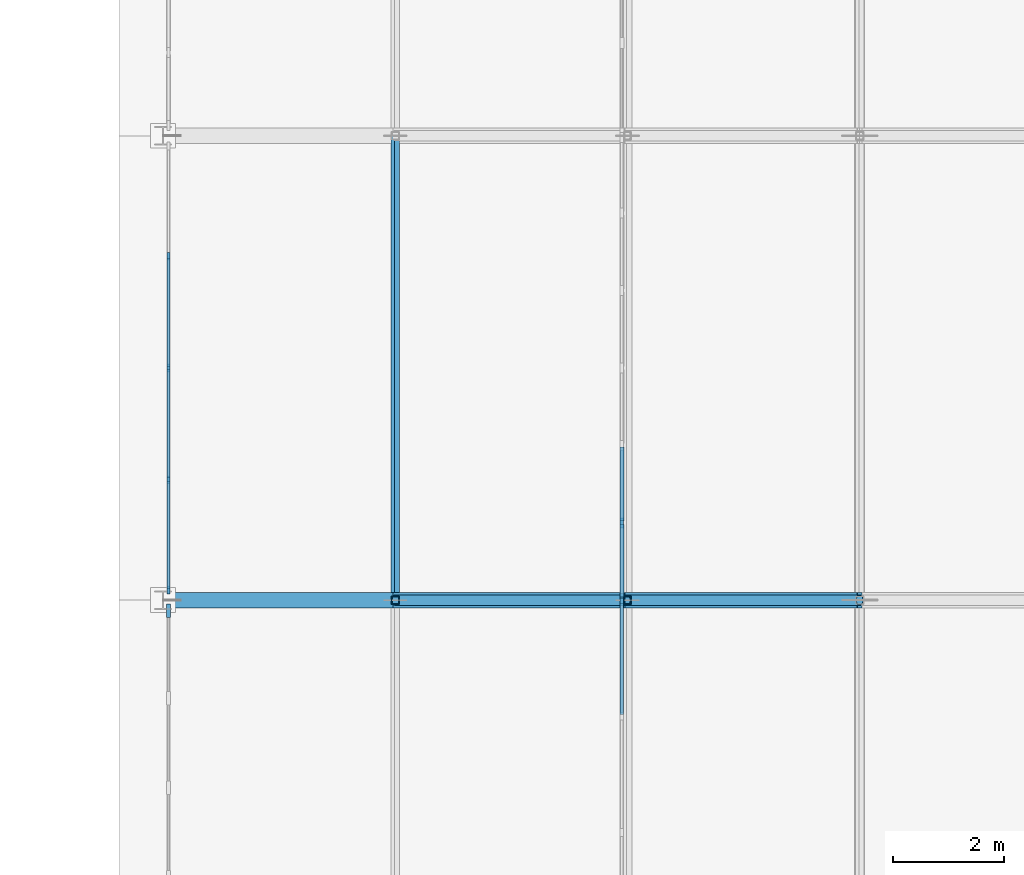
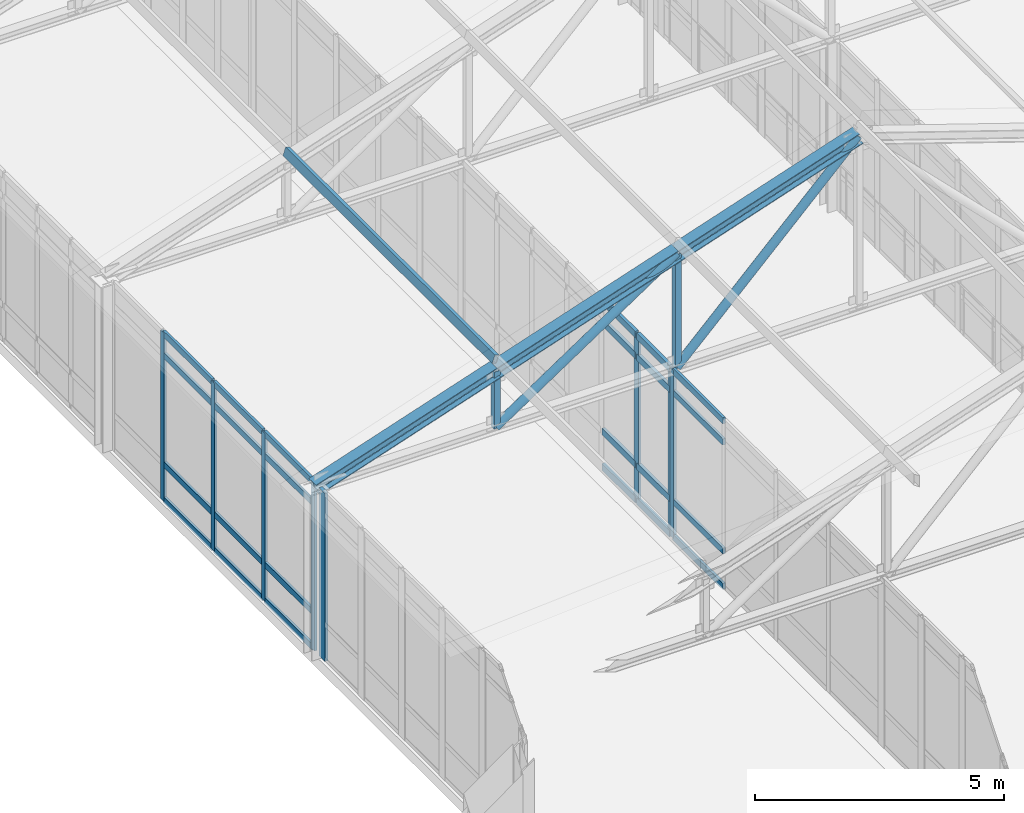
# One storey, part 44 of 192: 40 members, 4 elements without a shape of their own.
"""IFC4 building model written with IfcOpenShell, lengths in metres."""

from ifc_helpers import new_model, si_unit, direction, frame, origin, origin_2d, place, context, subcontext, project, spatial, rectangle, hollow_rectangle, hollow_circle, i_section, extrude, material, layer, layer_set, material_profile, profile_set, type_object, element, aggregate, save


model = new_model("IFC4")

# Units and contexts
model_context = context("Model", 3, precision=1e-05, world=origin(), true_north=direction((0.0, 1.0)))
body_context = subcontext(model_context, "Body", "Model", "MODEL_VIEW")
ifc_project = project(units=[si_unit("LENGTHUNIT", "METRE"), si_unit("AREAUNIT", "SQUARE_METRE"), si_unit("VOLUMEUNIT", "CUBIC_METRE"), si_unit("PLANEANGLEUNIT", "RADIAN"), si_unit("MASSUNIT", "GRAM", prefix="KILO")], contexts=[model_context])

# Site, building, storey
site_placement = place(None, origin())
site = spatial("IfcSite", under=ifc_project, at=site_placement, CompositionType="ELEMENT")
building_placement = place(site_placement, origin())
building = spatial("IfcBuilding", under=site, at=building_placement, Name="Kveldsbrygga Polytechnic", CompositionType="ELEMENT")
storey_placement = place(building_placement, frame((0.0, 0.0, 5.43994140625)))
storey = spatial("IfcBuildingStorey", under=building, at=storey_placement, Name="L01", CompositionType="ELEMENT", Elevation=5.43994140625)

# Curtain wall, member
ifc_material_1 = material(Name="Anodised aluminium AW-6060", Category="aluminium")
ifc_layer_1 = layer(ifc_material_1, 0.199951171875)
ifc_layer_set_1 = layer_set([ifc_layer_1], Name="Anodised aluminium AW-6060")
curtain_wall_type_1 = type_object("IfcCurtainWallType", Name="CW-LANC-E", PredefinedType="USERDEFINED", material=ifc_layer_set_1)
curtain_wall_1_placement = place(storey_placement, origin())
curtain_wall_1 = element("IfcCurtainWall", 1, at=curtain_wall_1_placement, inside=storey, type_object=curtain_wall_type_1, Name="Curtain Wall CW-L01-Y-07-03", ObjectType="UNITISED CURTAIN WALL", PredefinedType="USERDEFINED")
ifc_material_profile_1 = material_profile(ifc_material_1, rectangle(XDim=0.06005859375, YDim=0.139892578125, at=origin_2d()), Name="ALU 60x140")
ifc_profile_set_1 = profile_set([ifc_material_profile_1], Name="Anodised aluminium AW-6060")
member_type_1 = type_object("IfcMemberType", Name="CW-MUL-140", PredefinedType="MULLION", material=ifc_profile_set_1)
member_1_placement = place(storey_placement, frame((58.699951171875, 33.570068359375, 0.0), z_axis=(0.0, 0.0, 1.0), x_axis=(-1.0, 0.0, 0.0)))
member_1 = element("IfcMember", 2, at=member_1_placement, type_object=member_type_1, Name="CW-05 mullion 5", PredefinedType="MULLION", context=body_context, shape_type="SweptSolid", body=[
    extrude(rectangle(XDim=0.06005859375, YDim=0.139892578125, at=origin_2d()), origin(), (0.0, 0.0, 1.0), 4.1201171875),
])

# Curtain wall, members
curtain_wall_2_placement = place(storey_placement, origin())
curtain_wall_2 = element("IfcCurtainWall", 3, at=curtain_wall_2_placement, inside=storey, type_object=curtain_wall_type_1, Name="Curtain Wall CW-L01-Y-06-04", ObjectType="UNITISED CURTAIN WALL", PredefinedType="USERDEFINED")
member_2_placement = place(storey_placement, frame((50.5, 33.784912109375, 0.0), z_axis=(0.0, 0.0, 1.0), x_axis=(-1.0, 0.0, 0.0)))
member_2 = element("IfcMember", 4, at=member_2_placement, type_object=member_type_1, Name="CW-05 mullion 1", PredefinedType="MULLION", context=body_context, shape_type="SweptSolid", body=[
    extrude(rectangle(XDim=0.06005859375, YDim=0.139892578125, at=origin_2d()), origin(), (0.0, 0.0, 1.0), 4.1201171875),
])
member_3_placement = place(storey_placement, frame((50.5, 35.777587890625, 0.0), z_axis=(0.0, 0.0, 1.0), x_axis=(-1.0, 0.0, 0.0)))
member_3 = element("IfcMember", 5, at=member_3_placement, type_object=member_type_1, Name="CW-05 mullion 2", PredefinedType="MULLION", context=body_context, shape_type="SweptSolid", body=[
    extrude(rectangle(XDim=0.06005859375, YDim=0.139892578125, at=origin_2d()), origin(), (0.0, 0.0, 1.0), 4.1201171875),
])
member_4_placement = place(storey_placement, frame((50.5, 37.800048828125, 0.0), z_axis=(0.0, 0.0, 1.0), x_axis=(-1.0, 0.0, 0.0)))
member_4 = element("IfcMember", 6, at=member_4_placement, type_object=member_type_1, Name="CW-05 mullion 3", PredefinedType="MULLION", context=body_context, shape_type="SweptSolid", body=[
    extrude(rectangle(XDim=0.06005859375, YDim=0.139892578125, at=origin_2d()), origin(), (0.0, 0.0, 1.0), 4.1201171875),
])
member_5_placement = place(storey_placement, frame((50.5, 39.822509765625, 0.0), z_axis=(0.0, 0.0, 1.0), x_axis=(-1.0, 0.0, 0.0)))
member_5 = element("IfcMember", 7, at=member_5_placement, type_object=member_type_1, Name="CW-05 mullion 4", PredefinedType="MULLION", context=body_context, shape_type="SweptSolid", body=[
    extrude(rectangle(XDim=0.06005859375, YDim=0.139892578125, at=origin_2d()), origin(), (0.0, 0.0, 1.0), 4.1201171875),
])

ifc_layer_2 = layer(ifc_material_1, 0.169921875)
ifc_layer_set_2 = layer_set([ifc_layer_2], Name="Anodised aluminium AW-6060")
curtain_wall_type_2 = type_object("IfcCurtainWallType", Name="CW-FOYR-F", PredefinedType="USERDEFINED", material=ifc_layer_set_2)
curtain_wall_3_placement = place(storey_placement, origin())
curtain_wall_3 = element("IfcCurtainWall", 8, at=curtain_wall_3_placement, inside=storey, type_object=curtain_wall_type_2, Name="Curtain Wall CW-L01-Y-07-04", ObjectType="STICK CURTAIN WALL", PredefinedType="USERDEFINED")
ifc_material_profile_2 = material_profile(ifc_material_1, rectangle(XDim=0.06005859375, YDim=0.179931640625, at=origin_2d()), Name="ALU 60x180")
ifc_profile_set_2 = profile_set([ifc_material_profile_2], Name="Anodised aluminium AW-6060")
member_type_2 = type_object("IfcMemberType", Name="CW-MUL-180", PredefinedType="MULLION", material=ifc_profile_set_2)
member_6_placement = place(storey_placement, frame((58.699951171875, 33.6298828125, 0.0), z_axis=(0.0, 0.0, 1.0), x_axis=(-1.0, 0.0, 0.0)))
member_6 = element("IfcMember", 9, at=member_6_placement, type_object=member_type_2, Name="CW-06 mullion 1", PredefinedType="MULLION", context=body_context, shape_type="SweptSolid", body=[
    extrude(rectangle(XDim=0.06005859375, YDim=0.179931640625, at=origin_2d()), origin(), (0.0, 0.0, 1.0), 4.1201171875),
])
member_7_placement = place(storey_placement, frame((58.699951171875, 35.0, 0.0), z_axis=(0.0, 0.0, 1.0), x_axis=(-1.0, 0.0, 0.0)))
member_7 = element("IfcMember", 10, at=member_7_placement, type_object=member_type_2, Name="CW-06 mullion 2", PredefinedType="MULLION", context=body_context, shape_type="SweptSolid", body=[
    extrude(rectangle(XDim=0.06005859375, YDim=0.179931640625, at=origin_2d()), origin(), (0.0, 0.0, 1.0), 4.1201171875),
])

# Curtain wall, member
ifc_layer_3 = layer(ifc_material_1, 0.179931640625)
ifc_layer_set_3 = layer_set([ifc_layer_3], Name="Anodised aluminium AW-6060")
curtain_wall_type_3 = type_object("IfcCurtainWallType", Name="CW-LANC-D", PredefinedType="USERDEFINED", material=ifc_layer_set_3)
curtain_wall_4_placement = place(storey_placement, origin())
curtain_wall_4 = element("IfcCurtainWall", 11, at=curtain_wall_4_placement, inside=storey, type_object=curtain_wall_type_3, Name="Curtain Wall CW-L01-Y-06-03", ObjectType="UNITISED CURTAIN WALL", PredefinedType="USERDEFINED")
ifc_material_profile_3 = material_profile(ifc_material_1, rectangle(XDim=0.074951171875, YDim=0.239990234375, at=origin_2d()), Name="ALU 75x240")
ifc_profile_set_3 = profile_set([ifc_material_profile_3], Name="Anodised aluminium AW-6060")
member_type_3 = type_object("IfcMemberType", Name="CW-MUL-240", PredefinedType="MULLION", material=ifc_profile_set_3)
member_8_placement = place(storey_placement, frame((50.5, 33.407470703125, 0.0), z_axis=(0.0, 0.0, 1.0), x_axis=(-1.0, 0.0, 0.0)))
member_8 = element("IfcMember", 12, at=member_8_placement, type_object=member_type_3, Name="CW-04 mullion 6", PredefinedType="MULLION", context=body_context, shape_type="SweptSolid", body=[
    extrude(rectangle(XDim=0.074951171875, YDim=0.239990234375, at=origin_2d()), origin(), (0.0, 0.0, 1.0), 4.1201171875),
])
aggregate(curtain_wall_4, [member_8])

# Member
ifc_material_profile_4 = material_profile(ifc_material_1, rectangle(XDim=0.06005859375, YDim=0.14990234375, at=origin_2d()), Name="ALU 60x150")
ifc_profile_set_4 = profile_set([ifc_material_profile_4], Name="Anodised aluminium AW-6060")
member_type_4 = type_object("IfcMemberType", Name="CW-TRN-150", PredefinedType="USERDEFINED", material=ifc_profile_set_4)
member_9_placement = place(storey_placement, frame((58.699951171875, 31.530029296875, 0.030029296875), z_axis=(0.0, 1.0, 0.0), x_axis=(-1.0, 0.0, 0.0)))
member_9 = element("IfcMember", 13, at=member_9_placement, type_object=member_type_4, Name="CW-05 transom 4.1", ObjectType="TRANSOM", PredefinedType="USERDEFINED", context=body_context, shape_type="SweptSolid", body=[
    extrude(rectangle(XDim=0.06005859375, YDim=0.14990234375, at=origin_2d()), origin(), (0.0, 0.0, 1.0), 2.010009765625),
])

member_10_placement = place(storey_placement, frame((58.699951171875, 31.530029296875, 0.900146484375), z_axis=(0.0, 1.0, 0.0), x_axis=(-1.0, 0.0, 0.0)))
member_10 = element("IfcMember", 14, at=member_10_placement, type_object=member_type_4, Name="CW-05 transom 4.2", ObjectType="TRANSOM", PredefinedType="USERDEFINED", context=body_context, shape_type="SweptSolid", body=[
    extrude(rectangle(XDim=0.06005859375, YDim=0.14990234375, at=origin_2d()), origin(), (0.0, 0.0, 1.0), 2.010009765625),
])

member_11_placement = place(storey_placement, frame((58.699951171875, 31.530029296875, 3.570068359375), z_axis=(0.0, 1.0, 0.0), x_axis=(-1.0, 0.0, 0.0)))
member_11 = element("IfcMember", 15, at=member_11_placement, type_object=member_type_4, Name="CW-05 transom 4.3", ObjectType="TRANSOM", PredefinedType="USERDEFINED", context=body_context, shape_type="SweptSolid", body=[
    extrude(rectangle(XDim=0.06005859375, YDim=0.14990234375, at=origin_2d()), origin(), (0.0, 0.0, 1.0), 2.010009765625),
])

member_12_placement = place(storey_placement, frame((58.699951171875, 31.530029296875, 4.090087890625), z_axis=(0.0, 1.0, 0.0), x_axis=(-1.0, 0.0, 0.0)))
member_12 = element("IfcMember", 16, at=member_12_placement, type_object=member_type_4, Name="CW-05 transom 4.4", ObjectType="TRANSOM", PredefinedType="USERDEFINED", context=body_context, shape_type="SweptSolid", body=[
    extrude(rectangle(XDim=0.06005859375, YDim=0.14990234375, at=origin_2d()), origin(), (0.0, 0.0, 1.0), 2.010009765625),
])

aggregate(curtain_wall_1, [member_1, member_9, member_10, member_11, member_12])

member_13_placement = place(storey_placement, frame((50.5, 33.81494140625, 0.030029296875), z_axis=(0.0, 1.0, 0.0), x_axis=(-1.0, 0.0, 0.0)))
member_13 = element("IfcMember", 17, at=member_13_placement, type_object=member_type_4, Name="CW-05 transom 1.1", ObjectType="TRANSOM", PredefinedType="USERDEFINED", context=body_context, shape_type="SweptSolid", body=[
    extrude(rectangle(XDim=0.06005859375, YDim=0.14990234375, at=origin_2d()), origin(), (0.0, 0.0, 1.0), 1.9326171875),
])

member_14_placement = place(storey_placement, frame((50.5, 33.81494140625, 0.900146484375), z_axis=(0.0, 1.0, 0.0), x_axis=(-1.0, 0.0, 0.0)))
member_14 = element("IfcMember", 18, at=member_14_placement, type_object=member_type_4, Name="CW-05 transom 1.2", ObjectType="TRANSOM", PredefinedType="USERDEFINED", context=body_context, shape_type="SweptSolid", body=[
    extrude(rectangle(XDim=0.06005859375, YDim=0.14990234375, at=origin_2d()), origin(), (0.0, 0.0, 1.0), 1.9326171875),
])

member_15_placement = place(storey_placement, frame((50.5, 33.81494140625, 3.570068359375), z_axis=(0.0, 1.0, 0.0), x_axis=(-1.0, 0.0, 0.0)))
member_15 = element("IfcMember", 19, at=member_15_placement, type_object=member_type_4, Name="CW-05 transom 1.3", ObjectType="TRANSOM", PredefinedType="USERDEFINED", context=body_context, shape_type="SweptSolid", body=[
    extrude(rectangle(XDim=0.06005859375, YDim=0.14990234375, at=origin_2d()), origin(), (0.0, 0.0, 1.0), 1.9326171875),
])

member_16_placement = place(storey_placement, frame((50.5, 33.81494140625, 4.090087890625), z_axis=(0.0, 1.0, 0.0), x_axis=(-1.0, 0.0, 0.0)))
member_16 = element("IfcMember", 20, at=member_16_placement, type_object=member_type_4, Name="CW-05 transom 1.4", ObjectType="TRANSOM", PredefinedType="USERDEFINED", context=body_context, shape_type="SweptSolid", body=[
    extrude(rectangle(XDim=0.06005859375, YDim=0.14990234375, at=origin_2d()), origin(), (0.0, 0.0, 1.0), 1.9326171875),
])

member_17_placement = place(storey_placement, frame((50.5, 35.8076171875, 0.030029296875), z_axis=(0.0, 1.0, 0.0), x_axis=(-1.0, 0.0, 0.0)))
member_17 = element("IfcMember", 21, at=member_17_placement, type_object=member_type_4, Name="CW-05 transom 2.1", ObjectType="TRANSOM", PredefinedType="USERDEFINED", context=body_context, shape_type="SweptSolid", body=[
    extrude(rectangle(XDim=0.06005859375, YDim=0.14990234375, at=origin_2d()), origin(), (0.0, 0.0, 1.0), 1.96240234375),
])

member_18_placement = place(storey_placement, frame((50.5, 35.8076171875, 0.900146484375), z_axis=(0.0, 1.0, 0.0), x_axis=(-1.0, 0.0, 0.0)))
member_18 = element("IfcMember", 22, at=member_18_placement, type_object=member_type_4, Name="CW-05 transom 2.2", ObjectType="TRANSOM", PredefinedType="USERDEFINED", context=body_context, shape_type="SweptSolid", body=[
    extrude(rectangle(XDim=0.06005859375, YDim=0.14990234375, at=origin_2d()), origin(), (0.0, 0.0, 1.0), 1.96240234375),
])

member_19_placement = place(storey_placement, frame((50.5, 35.8076171875, 3.570068359375), z_axis=(0.0, 1.0, 0.0), x_axis=(-1.0, 0.0, 0.0)))
member_19 = element("IfcMember", 23, at=member_19_placement, type_object=member_type_4, Name="CW-05 transom 2.3", ObjectType="TRANSOM", PredefinedType="USERDEFINED", context=body_context, shape_type="SweptSolid", body=[
    extrude(rectangle(XDim=0.06005859375, YDim=0.14990234375, at=origin_2d()), origin(), (0.0, 0.0, 1.0), 1.96240234375),
])

member_20_placement = place(storey_placement, frame((50.5, 35.8076171875, 4.090087890625), z_axis=(0.0, 1.0, 0.0), x_axis=(-1.0, 0.0, 0.0)))
member_20 = element("IfcMember", 24, at=member_20_placement, type_object=member_type_4, Name="CW-05 transom 2.4", ObjectType="TRANSOM", PredefinedType="USERDEFINED", context=body_context, shape_type="SweptSolid", body=[
    extrude(rectangle(XDim=0.06005859375, YDim=0.14990234375, at=origin_2d()), origin(), (0.0, 0.0, 1.0), 1.96240234375),
])

member_21_placement = place(storey_placement, frame((50.5, 37.830078125, 0.030029296875), z_axis=(0.0, 1.0, 0.0), x_axis=(-1.0, 0.0, 0.0)))
member_21 = element("IfcMember", 25, at=member_21_placement, type_object=member_type_4, Name="CW-05 transom 3.1", ObjectType="TRANSOM", PredefinedType="USERDEFINED", context=body_context, shape_type="SweptSolid", body=[
    extrude(rectangle(XDim=0.06005859375, YDim=0.14990234375, at=origin_2d()), origin(), (0.0, 0.0, 1.0), 1.96240234375),
])

member_22_placement = place(storey_placement, frame((50.5, 37.830078125, 0.900146484375), z_axis=(0.0, 1.0, 0.0), x_axis=(-1.0, 0.0, 0.0)))
member_22 = element("IfcMember", 26, at=member_22_placement, type_object=member_type_4, Name="CW-05 transom 3.2", ObjectType="TRANSOM", PredefinedType="USERDEFINED", context=body_context, shape_type="SweptSolid", body=[
    extrude(rectangle(XDim=0.06005859375, YDim=0.14990234375, at=origin_2d()), origin(), (0.0, 0.0, 1.0), 1.96240234375),
])

member_23_placement = place(storey_placement, frame((50.5, 37.830078125, 3.570068359375), z_axis=(0.0, 1.0, 0.0), x_axis=(-1.0, 0.0, 0.0)))
member_23 = element("IfcMember", 27, at=member_23_placement, type_object=member_type_4, Name="CW-05 transom 3.3", ObjectType="TRANSOM", PredefinedType="USERDEFINED", context=body_context, shape_type="SweptSolid", body=[
    extrude(rectangle(XDim=0.06005859375, YDim=0.14990234375, at=origin_2d()), origin(), (0.0, 0.0, 1.0), 1.96240234375),
])

member_24_placement = place(storey_placement, frame((50.5, 37.830078125, 4.090087890625), z_axis=(0.0, 1.0, 0.0), x_axis=(-1.0, 0.0, 0.0)))
member_24 = element("IfcMember", 28, at=member_24_placement, type_object=member_type_4, Name="CW-05 transom 3.4", ObjectType="TRANSOM", PredefinedType="USERDEFINED", context=body_context, shape_type="SweptSolid", body=[
    extrude(rectangle(XDim=0.06005859375, YDim=0.14990234375, at=origin_2d()), origin(), (0.0, 0.0, 1.0), 1.96240234375),
])

aggregate(curtain_wall_2, [member_2, member_3, member_4, member_5, member_13, member_14, member_15, member_16, member_17, member_18, member_19, member_20, member_21, member_22, member_23, member_24])

ifc_material_profile_5 = material_profile(ifc_material_1, rectangle(XDim=0.074951171875, YDim=0.159912109375, at=origin_2d()), Name="ALU 75x160")
ifc_profile_set_5 = profile_set([ifc_material_profile_5], Name="Anodised aluminium AW-6060")
member_type_5 = type_object("IfcMemberType", Name="CW-TRN-160", PredefinedType="USERDEFINED", material=ifc_profile_set_5)
member_25_placement = place(storey_placement, frame((58.699951171875, 33.659912109375, 0.03759765625), z_axis=(0.0, 1.0, 0.0), x_axis=(-1.0, 0.0, 0.0)))
member_25 = element("IfcMember", 29, at=member_25_placement, type_object=member_type_5, Name="CW-06 transom 1.1", ObjectType="TRANSOM", PredefinedType="USERDEFINED", context=body_context, shape_type="SweptSolid", body=[
    extrude(rectangle(XDim=0.074951171875, YDim=0.159912109375, at=origin_2d()), origin(), (0.0, 0.0, 1.0), 1.31005859375),
])

member_26_placement = place(storey_placement, frame((58.699951171875, 33.659912109375, 0.900146484375), z_axis=(0.0, 1.0, 0.0), x_axis=(-1.0, 0.0, 0.0)))
member_26 = element("IfcMember", 30, at=member_26_placement, type_object=member_type_5, Name="CW-06 transom 1.2", ObjectType="TRANSOM", PredefinedType="USERDEFINED", context=body_context, shape_type="SweptSolid", body=[
    extrude(rectangle(XDim=0.074951171875, YDim=0.159912109375, at=origin_2d()), origin(), (0.0, 0.0, 1.0), 1.31005859375),
])

member_27_placement = place(storey_placement, frame((58.699951171875, 33.659912109375, 3.570068359375), z_axis=(0.0, 1.0, 0.0), x_axis=(-1.0, 0.0, 0.0)))
member_27 = element("IfcMember", 31, at=member_27_placement, type_object=member_type_5, Name="CW-06 transom 1.3", ObjectType="TRANSOM", PredefinedType="USERDEFINED", context=body_context, shape_type="SweptSolid", body=[
    extrude(rectangle(XDim=0.074951171875, YDim=0.159912109375, at=origin_2d()), origin(), (0.0, 0.0, 1.0), 1.31005859375),
])

member_28_placement = place(storey_placement, frame((58.699951171875, 33.659912109375, 4.08251953125), z_axis=(0.0, 1.0, 0.0), x_axis=(-1.0, 0.0, 0.0)))
member_28 = element("IfcMember", 32, at=member_28_placement, type_object=member_type_5, Name="CW-06 transom 1.4", ObjectType="TRANSOM", PredefinedType="USERDEFINED", context=body_context, shape_type="SweptSolid", body=[
    extrude(rectangle(XDim=0.074951171875, YDim=0.159912109375, at=origin_2d()), origin(), (0.0, 0.0, 1.0), 1.31005859375),
])

member_29_placement = place(storey_placement, frame((58.699951171875, 35.030029296875, 0.03759765625), z_axis=(0.0, 1.0, 0.0), x_axis=(-1.0, 0.0, 0.0)))
member_29 = element("IfcMember", 33, at=member_29_placement, type_object=member_type_5, Name="CW-06 transom 2.1", ObjectType="TRANSOM", PredefinedType="USERDEFINED", context=body_context, shape_type="SweptSolid", body=[
    extrude(rectangle(XDim=0.074951171875, YDim=0.159912109375, at=origin_2d()), origin(), (0.0, 0.0, 1.0), 1.340087890625),
])

member_30_placement = place(storey_placement, frame((58.699951171875, 35.030029296875, 0.900146484375), z_axis=(0.0, 1.0, 0.0), x_axis=(-1.0, 0.0, 0.0)))
member_30 = element("IfcMember", 34, at=member_30_placement, type_object=member_type_5, Name="CW-06 transom 2.2", ObjectType="TRANSOM", PredefinedType="USERDEFINED", context=body_context, shape_type="SweptSolid", body=[
    extrude(rectangle(XDim=0.074951171875, YDim=0.159912109375, at=origin_2d()), origin(), (0.0, 0.0, 1.0), 1.340087890625),
])

member_31_placement = place(storey_placement, frame((58.699951171875, 35.030029296875, 3.570068359375), z_axis=(0.0, 1.0, 0.0), x_axis=(-1.0, 0.0, 0.0)))
member_31 = element("IfcMember", 35, at=member_31_placement, type_object=member_type_5, Name="CW-06 transom 2.3", ObjectType="TRANSOM", PredefinedType="USERDEFINED", context=body_context, shape_type="SweptSolid", body=[
    extrude(rectangle(XDim=0.074951171875, YDim=0.159912109375, at=origin_2d()), origin(), (0.0, 0.0, 1.0), 1.340087890625),
])

member_32_placement = place(storey_placement, frame((58.699951171875, 35.030029296875, 4.08251953125), z_axis=(0.0, 1.0, 0.0), x_axis=(-1.0, 0.0, 0.0)))
member_32 = element("IfcMember", 36, at=member_32_placement, type_object=member_type_5, Name="CW-06 transom 2.4", ObjectType="TRANSOM", PredefinedType="USERDEFINED", context=body_context, shape_type="SweptSolid", body=[
    extrude(rectangle(XDim=0.074951171875, YDim=0.159912109375, at=origin_2d()), origin(), (0.0, 0.0, 1.0), 1.340087890625),
])

aggregate(curtain_wall_3, [member_6, member_7, member_25, member_26, member_27, member_28, member_29, member_30, member_31, member_32])

# Members
ifc_material_2 = material(Name="Steel S355", Category="steel")
ifc_material_profile_6 = material_profile(ifc_material_2, hollow_rectangle(XDim=0.10009765625, YDim=0.199951171875, WallThickness=0.010009765625, at=origin_2d()), Name="RHS 200x100x10.0")
ifc_profile_set_6 = profile_set([ifc_material_profile_6], Name="Steel S355")
member_type_6 = type_object("IfcMemberType", Name="PRL-RHS200", PredefinedType="PURLIN", material=ifc_profile_set_6)
member_33_placement = place(storey_placement, frame((54.60009765625, 33.60009765625, 5.77294921875), z_axis=(0.0, 1.0, 0.0), x_axis=(-0.948683567514, 0.0, 0.316226957624)))
element("IfcMember", 37, at=member_33_placement, inside=storey, type_object=member_type_6, Name="Roof Purlin V5C-PRL-4-1", PredefinedType="PURLIN", context=body_context, shape_type="SweptSolid", body=[
    extrude(hollow_rectangle(XDim=0.10009765625, YDim=0.199951171875, WallThickness=0.010009765625, at=origin_2d()), origin(), (0.0, 0.0, 1.0), 8.39990234375),
])
ifc_material_profile_7 = material_profile(ifc_material_2, hollow_circle(Radius=0.096923828125, WallThickness=0.010009765625, at=origin_2d()), Name="CHS 193.7x10.0")
ifc_profile_set_7 = profile_set([ifc_material_profile_7], Name="Steel S355")
member_type_7 = type_object("IfcMemberType", Name="TR-DIAG-CHS194", PredefinedType="BRACE", material=ifc_profile_set_7)
member_34_placement = place(storey_placement, frame((54.60009765625, 33.60009765625, 4.1201171875), z_axis=(0.832042853317, 0.0, 0.554711357594), x_axis=(0.0, 1.0, 0.0)))
element("IfcMember", 38, at=member_34_placement, inside=storey, type_object=member_type_7, Name="Truss Diagonal V5C-T04-DG-2", PredefinedType="BRACE", context=body_context, shape_type="SweptSolid", body=[
    extrude(hollow_circle(Radius=0.096923828125, WallThickness=0.010009765625, at=origin_2d()), origin(), (0.0, 0.0, 1.0), 5.0478515625),
])
member_35_placement = place(storey_placement, frame((58.800048828125, 33.60009765625, 4.1201171875), z_axis=(0.707106781187, 0.0, 0.707106781187), x_axis=(0.0, 1.0, 0.0)))
element("IfcMember", 39, at=member_35_placement, inside=storey, type_object=member_type_7, Name="Truss Diagonal V5C-T04-DG-3", PredefinedType="BRACE", context=body_context, shape_type="SweptSolid", body=[
    extrude(hollow_circle(Radius=0.096923828125, WallThickness=0.010009765625, at=origin_2d()), origin(), (0.0, 0.0, 1.0), 5.939697265625),
])
ifc_material_profile_8 = material_profile(ifc_material_2, hollow_rectangle(XDim=0.139892578125, YDim=0.139892578125, WallThickness=0.008056640625, at=origin_2d()), Name="SHS 140x140x8.0")
ifc_profile_set_8 = profile_set([ifc_material_profile_8], Name="Steel S355")
member_type_8 = type_object("IfcMemberType", Name="TR-POST-SHS140", PredefinedType="STRUT", material=ifc_profile_set_8)
member_36_placement = place(storey_placement, frame((54.60009765625, 33.60009765625, 4.1201171875), z_axis=(0.0, 0.0, 1.0), x_axis=(1.0, 0.0, 0.0)))
element("IfcMember", 40, at=member_36_placement, inside=storey, type_object=member_type_8, Name="Truss Vertical V5C-T04-VT-1", PredefinedType="STRUT", context=body_context, shape_type="SweptSolid", body=[
    extrude(hollow_rectangle(XDim=0.139892578125, YDim=0.139892578125, WallThickness=0.008056640625, at=origin_2d()), origin(), (0.0, 0.0, 1.0), 1.39990234375),
])
member_37_placement = place(storey_placement, frame((58.800048828125, 33.60009765625, 4.1201171875), z_axis=(0.0, 0.0, 1.0), x_axis=(1.0, 0.0, 0.0)))
element("IfcMember", 41, at=member_37_placement, inside=storey, type_object=member_type_8, Name="Truss Vertical V5C-T04-VT-2", PredefinedType="STRUT", context=body_context, shape_type="SweptSolid", body=[
    extrude(hollow_rectangle(XDim=0.139892578125, YDim=0.139892578125, WallThickness=0.008056640625, at=origin_2d()), origin(), (0.0, 0.0, 1.0), 2.800048828125),
])
ifc_material_profile_9 = material_profile(ifc_material_2, i_section(OverallWidth=0.280029296875, OverallDepth=0.280029296875, WebThickness=0.010498046875, FlangeThickness=0.01806640625, FilletRadius=0.02392578125, at=origin_2d()), Name="HEB 280")
ifc_profile_set_9 = profile_set([ifc_material_profile_9], Name="Steel S355")
member_type_9 = type_object("IfcMemberType", Name="TR-TOP-HEB280", PredefinedType="CHORD", material=ifc_profile_set_9)
for number, where, z_axis, x_axis, name in (
    (42, (50.39990234375, 33.60009765625, 4.1201171875), (0.948694326238, 0.0, 0.316194679531), (0.0, 1.0, 0.0), "Truss Top Chord V5C-T04-TC-1"),
    (43, (54.60009765625, 33.60009765625, 5.52001953125), (0.948672268324, 0.0, 0.316260853272), (0.0, 1.0, 0.0), "Truss Top Chord V5C-T04-TC-2"),
):
    element("IfcMember", number, at=place(storey_placement, frame(where, z_axis=z_axis, x_axis=x_axis)), inside=storey, type_object=member_type_9, Name=name, PredefinedType="CHORD", context=body_context, shape_type="SweptSolid", body=[
        extrude(i_section(OverallWidth=0.280029296875, OverallDepth=0.280029296875, WebThickness=0.010498046875, FlangeThickness=0.01806640625, FilletRadius=0.02392578125, at=origin_2d()), origin(), (0.0, 0.0, 1.0), 4.42724609375),
    ])
member_38_placement = place(storey_placement, frame((58.800048828125, 33.60009765625, 6.920166015625), z_axis=(0.948688812577, 0.0, 0.316211221956), x_axis=(0.0, 1.0, 0.0)))
element("IfcMember", 44, at=member_38_placement, inside=storey, type_object=member_type_9, Name="Truss Top Chord V5C-T04-TC-3", PredefinedType="CHORD", context=body_context, shape_type="SweptSolid", body=[
    extrude(i_section(OverallWidth=0.280029296875, OverallDepth=0.280029296875, WebThickness=0.010498046875, FlangeThickness=0.01806640625, FilletRadius=0.02392578125, at=origin_2d()), origin(), (0.0, 0.0, 1.0), 4.427001953125),
])

save(model, "model.ifc")
